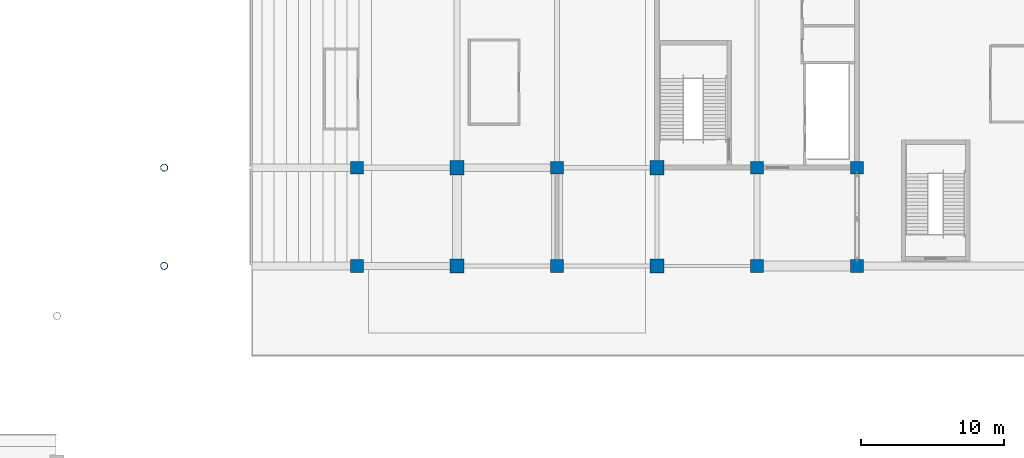
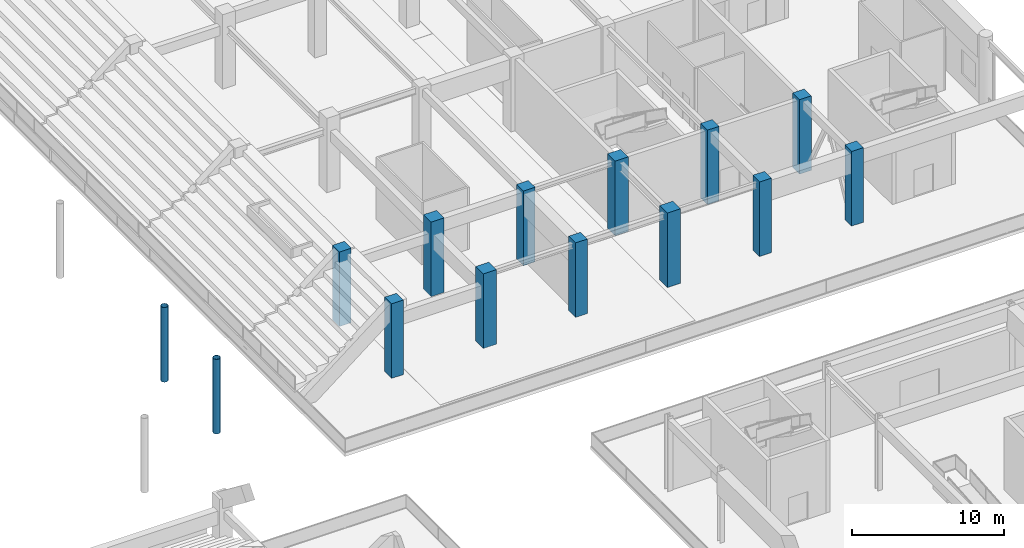
# One storey, part 10 of 73: 14 columns.
"""IFC4 building model written with IfcOpenShell, lengths in metres."""

from ifc_helpers import new_model, si_unit, direction, frame, origin, origin_2d, place, context, subcontext, project, spatial, rectangle, hollow_circle, extrude, material, material_profile, profile_set, type_object, element, save


model = new_model("IFC4")

# Units and contexts
model_context = context("Model", 3, precision=1e-05, world=origin(), true_north=direction((0.0, 1.0)))
body_context = subcontext(model_context, "Body", "Model", "MODEL_VIEW")
ifc_project = project(units=[si_unit("LENGTHUNIT", "METRE"), si_unit("AREAUNIT", "SQUARE_METRE"), si_unit("VOLUMEUNIT", "CUBIC_METRE"), si_unit("PLANEANGLEUNIT", "RADIAN"), si_unit("MASSUNIT", "GRAM", prefix="KILO")], contexts=[model_context])

# Site, building, storey
site_placement = place(None, origin())
site = spatial("IfcSite", under=ifc_project, at=site_placement, CompositionType="ELEMENT")
building_placement = place(site_placement, origin())
building = spatial("IfcBuilding", under=site, at=building_placement, Name="Linyun Crest Stadium", CompositionType="ELEMENT")
storey_placement = place(building_placement, origin())
storey = spatial("IfcBuildingStorey", under=building, at=storey_placement, Name="L01", CompositionType="ELEMENT", Elevation=0.0)

# Columns
ifc_material_1 = material(Name="Concrete C50", Category="concrete")
ifc_material_profile_1 = material_profile(ifc_material_1, rectangle(XDim=0.89990234375, YDim=0.89990234375, at=origin_2d()), Name="RC 900x900")
ifc_profile_set_1 = profile_set([ifc_material_profile_1], Name="Concrete C50")
column_type_1 = type_object("IfcColumnType", Name="C04", PredefinedType="COLUMN", material=ifc_profile_set_1)
for number, where, z_axis, x_axis, name in (
    (1, (49.0, -46.0, 0.0), (0.0, 0.0, 1.0), (1.0, 0.0, 0.0), "Column C04 L01 306"),
    (2, (49.0, -39.125, 0.0), (0.0, 0.0, 1.0), (1.0, 0.0, 0.0), "Column C04 L01 308"),
):
    element("IfcColumn", number, at=place(storey_placement, frame(where, z_axis=z_axis, x_axis=x_axis)), inside=storey, type_object=column_type_1, Name=name, PredefinedType="COLUMN", context=body_context, shape_type="SweptSolid", body=[
        extrude(rectangle(XDim=0.89990234375, YDim=0.89990234375, at=origin_2d()), origin(), (0.0, 0.0, 1.0), 6.0),
    ])
for number, where, z_axis, x_axis, name in (
    (3, (63.0, -46.0, 0.0), (0.0, 0.0, 1.0), (1.0, 0.0, 0.0), "Column C04 L01 354"),
    (4, (63.0, -39.125, 0.0), (0.0, 0.0, 1.0), (1.0, 0.0, 0.0), "Column C04 L01 359"),
    (5, (77.0, -46.0, 0.0), (0.0, 0.0, 1.0), (1.0, 0.0, 0.0), "Column C04 L01 442"),
    (6, (77.0, -39.125, 0.0), (0.0, 0.0, 1.0), (1.0, 0.0, 0.0), "Column C04 L01 447"),
    (7, (84.0, -46.0, 0.0), (0.0, 0.0, 1.0), (1.0, 0.0, 0.0), "Column C04 L01 482"),
    (8, (84.0, -39.125, 0.0), (0.0, 0.0, 1.0), (1.0, 0.0, 0.0), "Column C04 L01 488"),
):
    element("IfcColumn", number, at=place(storey_placement, frame(where, z_axis=z_axis, x_axis=x_axis)), inside=storey, type_object=column_type_1, Name=name, PredefinedType="COLUMN", context=body_context, shape_type="SweptSolid", body=[
        extrude(rectangle(XDim=0.89990234375, YDim=0.89990234375, at=origin_2d()), origin(), (0.0, 0.0, 1.0), 5.998046875),
    ])
ifc_material_2 = material(Name="Concrete C50", Category="concrete")
ifc_material_profile_2 = material_profile(ifc_material_2, rectangle(XDim=1.0, YDim=1.0, at=origin_2d()), Name="RC 1000x1000")
ifc_profile_set_2 = profile_set([ifc_material_profile_2], Name="Concrete C50")
column_type_2 = type_object("IfcColumnType", Name="C05", PredefinedType="COLUMN", material=ifc_profile_set_2)
for number, where, z_axis, x_axis, name in (
    (9, (56.0, -46.0, 0.0), (0.0, 0.0, 1.0), (1.0, 0.0, 0.0), "Column C05 L01 322"),
    (10, (56.0, -39.125, 0.0), (0.0, 0.0, 1.0), (1.0, 0.0, 0.0), "Column C05 L01 326"),
    (11, (70.0, -46.0, 0.0), (0.0, 0.0, 1.0), (1.0, 0.0, 0.0), "Column C05 L01 394"),
    (12, (70.0, -39.125, 0.0), (0.0, 0.0, 1.0), (1.0, 0.0, 0.0), "Column C05 L01 400"),
):
    element("IfcColumn", number, at=place(storey_placement, frame(where, z_axis=z_axis, x_axis=x_axis)), inside=storey, type_object=column_type_2, Name=name, PredefinedType="COLUMN", context=body_context, shape_type="SweptSolid", body=[
        extrude(rectangle(XDim=1.0, YDim=1.0, at=origin_2d()), origin(), (0.0, 0.0, 1.0), 5.998046875),
    ])
ifc_material_3 = material(Name="Steel Q355C", Category="steel")
ifc_material_profile_3 = material_profile(ifc_material_3, hollow_circle(Radius=0.25390625, WallThickness=0.02490234375, at=origin_2d()), Name="CHS 508x25")
ifc_profile_set_3 = profile_set([ifc_material_profile_3], Name="Steel Q355C")
column_type_3 = type_object("IfcColumnType", Name="SC05", PredefinedType="COLUMN", material=ifc_profile_set_3)
for number, where, z_axis, x_axis, name in (
    (13, (35.5, -46.0, 0.0), (0.0, 0.0, 1.0), (1.0, 0.0, 0.0), "Arch colonnade column SC05 L01 18"),
    (14, (35.5, -39.125, 0.0), (0.0, 0.0, 1.0), (1.0, 0.0, 0.0), "Arch colonnade column SC05 L01 20"),
):
    element("IfcColumn", number, at=place(storey_placement, frame(where, z_axis=z_axis, x_axis=x_axis)), inside=storey, type_object=column_type_3, Name=name, PredefinedType="COLUMN", context=body_context, shape_type="SweptSolid", body=[
        extrude(hollow_circle(Radius=0.25390625, WallThickness=0.02490234375, at=origin_2d()), origin(), (0.0, 0.0, 1.0), 6.0),
    ])

save(model, "model.ifc")
